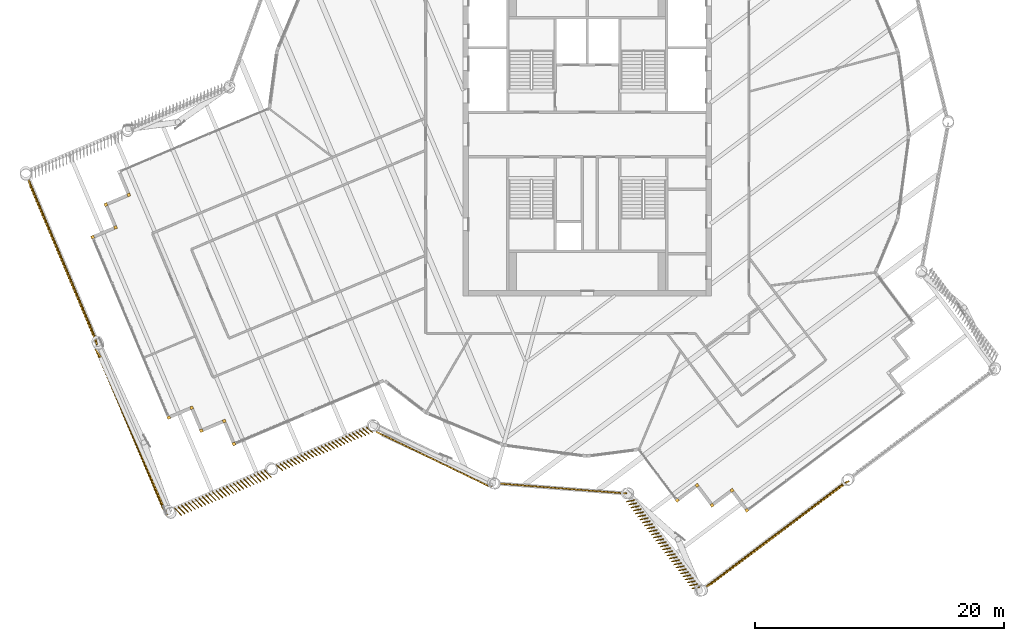
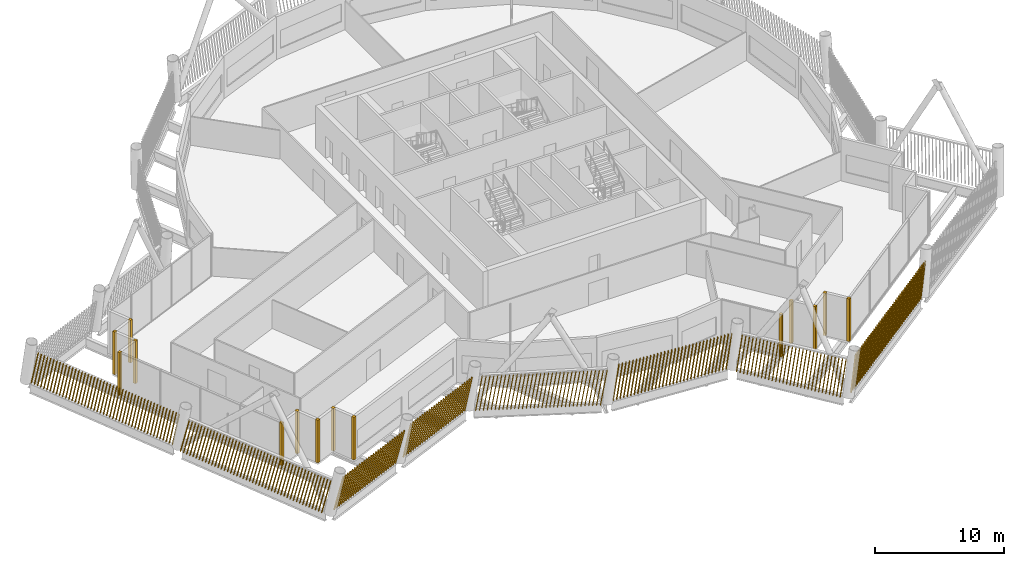
# One storey, part 31 of 35: 22 shading devices.
"""IFC4 building model written with IfcOpenShell, lengths in metres."""

from ifc_helpers import new_model, si_unit, direction, frame, frame_2d, origin, origin_2d, place, context, subcontext, project, spatial, rectangle, composite_profile, extrude, material, type_object, element, save


model = new_model("IFC4")

# Units and contexts
model_context = context("Model", 3, precision=1e-05, world=origin(), true_north=direction((0.0, 1.0)))
body_context = subcontext(model_context, "Body", "Model", "MODEL_VIEW")
ifc_project = project(units=[si_unit("LENGTHUNIT", "METRE"), si_unit("AREAUNIT", "SQUARE_METRE"), si_unit("VOLUMEUNIT", "CUBIC_METRE"), si_unit("PLANEANGLEUNIT", "RADIAN"), si_unit("MASSUNIT", "GRAM", prefix="KILO")], contexts=[model_context])

# Site, building, storey
site_placement = place(None, origin())
site = spatial("IfcSite", under=ifc_project, at=site_placement, CompositionType="ELEMENT")
building_placement = place(site_placement, origin())
building = spatial("IfcBuilding", under=site, at=building_placement, Name="Tarsis Ring Headquarters", CompositionType="ELEMENT")
storey_placement = place(building_placement, frame((0.0, 0.0, 377.60009765625)))
storey = spatial("IfcBuildingStorey", under=building, at=storey_placement, Name="L89", CompositionType="ELEMENT", Elevation=377.60009765625)

# Shading devices
ifc_material = material(Name="Terracotta baguette", Category="masonry")
shading_device_type_1 = type_object("IfcShadingDeviceType", Name="Terracotta baguette screen", PredefinedType="USERDEFINED", material=ifc_material)
shading_device_1_placement = place(storey_placement, frame((-7.07861328125, -28.08154296875, 0.0), z_axis=(0.0, 0.0, 1.0), x_axis=(0.997001873829, -0.077326670831, 0.0)))
element("IfcShadingDevice", 1, at=shading_device_1_placement, inside=storey, type_object=shading_device_type_1, Name="Baguette screen L89-00", ObjectType="Terracotta baguette screen", PredefinedType="USERDEFINED", context=body_context, shape_type="SweptSolid", body=[
    extrude(composite_profile([rectangle(XDim=0.06005859375, YDim=0.1201171875, at=frame_2d((0.030029296875, 0.0))), rectangle(XDim=0.06005859375, YDim=0.1201171875, at=frame_2d((0.33349609375, 0.0))), rectangle(XDim=0.06005859375, YDim=0.1201171875, at=frame_2d((0.636962890625, 0.0))), rectangle(XDim=0.06005859375, YDim=0.1201171875, at=frame_2d((0.9404296875, 0.0))), rectangle(XDim=0.06005859375, YDim=0.1201171875, at=frame_2d((1.243896484375, 0.0))), rectangle(XDim=0.06005859375, YDim=0.1201171875, at=frame_2d((1.54736328125, 0.0))), rectangle(XDim=0.06005859375, YDim=0.1201171875, at=frame_2d((1.85107421875, 0.0))), rectangle(XDim=0.06005859375, YDim=0.1201171875, at=frame_2d((2.154541015625, 0.0))), rectangle(XDim=0.06005859375, YDim=0.1201171875, at=frame_2d((2.4580078125, 0.0))), rectangle(XDim=0.06005859375, YDim=0.1201171875, at=frame_2d((2.761474609375, 0.0))), rectangle(XDim=0.06005859375, YDim=0.1201171875, at=frame_2d((3.06494140625, 0.0))), rectangle(XDim=0.06005859375, YDim=0.1201171875, at=frame_2d((3.368408203125, 0.0))), rectangle(XDim=0.06005859375, YDim=0.1201171875, at=frame_2d((3.671875, 0.0))), rectangle(XDim=0.06005859375, YDim=0.1201171875, at=frame_2d((3.975341796875, 0.0))), rectangle(XDim=0.06005859375, YDim=0.1201171875, at=frame_2d((4.27880859375, 0.0))), rectangle(XDim=0.06005859375, YDim=0.1201171875, at=frame_2d((4.582275390625, 0.0))), rectangle(XDim=0.06005859375, YDim=0.1201171875, at=frame_2d((4.8857421875, 0.0))), rectangle(XDim=0.06005859375, YDim=0.1201171875, at=frame_2d((5.189453125, 0.0))), rectangle(XDim=0.06005859375, YDim=0.1201171875, at=frame_2d((5.492919921875, 0.0))), rectangle(XDim=0.06005859375, YDim=0.1201171875, at=frame_2d((5.79638671875, 0.0))), rectangle(XDim=0.06005859375, YDim=0.1201171875, at=frame_2d((6.099853515625, 0.0))), rectangle(XDim=0.06005859375, YDim=0.1201171875, at=frame_2d((6.4033203125, 0.0))), rectangle(XDim=0.06005859375, YDim=0.1201171875, at=frame_2d((6.706787109375, 0.0))), rectangle(XDim=0.06005859375, YDim=0.1201171875, at=frame_2d((7.01025390625, 0.0))), rectangle(XDim=0.06005859375, YDim=0.1201171875, at=frame_2d((7.313720703125, 0.0))), rectangle(XDim=0.06005859375, YDim=0.1201171875, at=frame_2d((7.6171875, 0.0))), rectangle(XDim=0.06005859375, YDim=0.1201171875, at=frame_2d((7.920654296875, 0.0))), rectangle(XDim=0.06005859375, YDim=0.1201171875, at=frame_2d((8.224365234375, 0.0))), rectangle(XDim=0.06005859375, YDim=0.1201171875, at=frame_2d((8.52783203125, 0.0))), rectangle(XDim=0.06005859375, YDim=0.1201171875, at=frame_2d((8.831298828125, 0.0))), rectangle(XDim=0.06005859375, YDim=0.1201171875, at=frame_2d((9.134765625, 0.0))), rectangle(XDim=0.06005859375, YDim=0.1201171875, at=frame_2d((9.438232421875, 0.0))), rectangle(XDim=0.06005859375, YDim=0.1201171875, at=frame_2d((9.74169921875, 0.0)))]), origin(), (0.155998316457, 0.001415827673, 0.98775630633), 3.3212890625),
])
shading_device_2_placement = place(storey_placement, frame((3.16259765625, -29.5009765625, 0.0), z_axis=(0.0, 0.0, 1.0), x_axis=(0.600144192108, -0.799877991293, 0.0)))
element("IfcShadingDevice", 2, at=shading_device_2_placement, inside=storey, type_object=shading_device_type_1, Name="Baguette screen L89-01", ObjectType="Terracotta baguette screen", PredefinedType="USERDEFINED", context=body_context, shape_type="SweptSolid", body=[
    extrude(composite_profile([rectangle(XDim=0.06005859375, YDim=0.1201171875, at=frame_2d((0.030029296875, 0.0))), rectangle(XDim=0.06005859375, YDim=0.1201171875, at=frame_2d((0.33154296875, 0.0))), rectangle(XDim=0.06005859375, YDim=0.1201171875, at=frame_2d((0.633056640625, 0.0))), rectangle(XDim=0.06005859375, YDim=0.1201171875, at=frame_2d((0.9345703125, 0.0))), rectangle(XDim=0.06005859375, YDim=0.1201171875, at=frame_2d((1.236083984375, 0.0))), rectangle(XDim=0.06005859375, YDim=0.1201171875, at=frame_2d((1.53759765625, 0.0))), rectangle(XDim=0.06005859375, YDim=0.1201171875, at=frame_2d((1.839111328125, 0.0))), rectangle(XDim=0.06005859375, YDim=0.1201171875, at=frame_2d((2.140625, 0.0))), rectangle(XDim=0.06005859375, YDim=0.1201171875, at=frame_2d((2.442138671875, 0.0))), rectangle(XDim=0.06005859375, YDim=0.1201171875, at=frame_2d((2.74365234375, 0.0))), rectangle(XDim=0.06005859375, YDim=0.1201171875, at=frame_2d((3.045166015625, 0.0))), rectangle(XDim=0.06005859375, YDim=0.1201171875, at=frame_2d((3.3466796875, 0.0))), rectangle(XDim=0.06005859375, YDim=0.1201171875, at=frame_2d((3.648193359375, 0.0))), rectangle(XDim=0.06005859375, YDim=0.1201171875, at=frame_2d((3.94970703125, 0.0))), rectangle(XDim=0.06005859375, YDim=0.1201171875, at=frame_2d((4.251220703125, 0.0))), rectangle(XDim=0.06005859375, YDim=0.1201171875, at=frame_2d((4.552978515625, 0.0))), rectangle(XDim=0.06005859375, YDim=0.1201171875, at=frame_2d((4.8544921875, 0.0))), rectangle(XDim=0.06005859375, YDim=0.1201171875, at=frame_2d((5.156005859375, 0.0))), rectangle(XDim=0.06005859375, YDim=0.1201171875, at=frame_2d((5.45751953125, 0.0))), rectangle(XDim=0.06005859375, YDim=0.1201171875, at=frame_2d((5.759033203125, 0.0))), rectangle(XDim=0.06005859375, YDim=0.1201171875, at=frame_2d((6.060546875, 0.0))), rectangle(XDim=0.06005859375, YDim=0.1201171875, at=frame_2d((6.362060546875, 0.0))), rectangle(XDim=0.06005859375, YDim=0.1201171875, at=frame_2d((6.66357421875, 0.0))), rectangle(XDim=0.06005859375, YDim=0.1201171875, at=frame_2d((6.965087890625, 0.0))), rectangle(XDim=0.06005859375, YDim=0.1201171875, at=frame_2d((7.2666015625, 0.0))), rectangle(XDim=0.06005859375, YDim=0.1201171875, at=frame_2d((7.568115234375, 0.0))), rectangle(XDim=0.06005859375, YDim=0.1201171875, at=frame_2d((7.86962890625, 0.0))), rectangle(XDim=0.06005859375, YDim=0.1201171875, at=frame_2d((8.171142578125, 0.0))), rectangle(XDim=0.06005859375, YDim=0.1201171875, at=frame_2d((8.47265625, 0.0))), rectangle(XDim=0.06005859375, YDim=0.1201171875, at=frame_2d((8.774169921875, 0.0)))]), origin(), (0.081076607551, 0.163389771374, 0.983224474023), 3.33642578125),
])
shading_device_3_placement = place(storey_placement, frame((9.446533203125, -36.418212890625, 0.0), z_axis=(0.0, 0.0, 1.0), x_axis=(0.79989031208, 0.60013445616, 0.0)))
element("IfcShadingDevice", 3, at=shading_device_3_placement, inside=storey, type_object=shading_device_type_1, Name="Baguette screen L89-02", ObjectType="Terracotta baguette screen", PredefinedType="USERDEFINED", context=body_context, shape_type="SweptSolid", body=[
    extrude(composite_profile([rectangle(XDim=0.06005859375, YDim=0.1201171875, at=frame_2d((0.030029296875, 0.0))), rectangle(XDim=0.06005859375, YDim=0.1201171875, at=frame_2d((0.33544921875, 0.0))), rectangle(XDim=0.06005859375, YDim=0.1201171875, at=frame_2d((0.640625, 0.0))), rectangle(XDim=0.06005859375, YDim=0.1201171875, at=frame_2d((0.946044921875, 0.0))), rectangle(XDim=0.06005859375, YDim=0.1201171875, at=frame_2d((1.25146484375, 0.0))), rectangle(XDim=0.06005859375, YDim=0.1201171875, at=frame_2d((1.556640625, 0.0))), rectangle(XDim=0.06005859375, YDim=0.1201171875, at=frame_2d((1.862060546875, 0.0))), rectangle(XDim=0.06005859375, YDim=0.1201171875, at=frame_2d((2.16748046875, 0.0))), rectangle(XDim=0.06005859375, YDim=0.1201171875, at=frame_2d((2.47265625, 0.0))), rectangle(XDim=0.06005859375, YDim=0.1201171875, at=frame_2d((2.778076171875, 0.0))), rectangle(XDim=0.06005859375, YDim=0.1201171875, at=frame_2d((3.08349609375, 0.0))), rectangle(XDim=0.06005859375, YDim=0.1201171875, at=frame_2d((3.388671875, 0.0))), rectangle(XDim=0.06005859375, YDim=0.1201171875, at=frame_2d((3.694091796875, 0.0))), rectangle(XDim=0.06005859375, YDim=0.1201171875, at=frame_2d((3.99951171875, 0.0))), rectangle(XDim=0.06005859375, YDim=0.1201171875, at=frame_2d((4.3046875, 0.0))), rectangle(XDim=0.06005859375, YDim=0.1201171875, at=frame_2d((4.610107421875, 0.0))), rectangle(XDim=0.06005859375, YDim=0.1201171875, at=frame_2d((4.91552734375, 0.0))), rectangle(XDim=0.06005859375, YDim=0.1201171875, at=frame_2d((5.220703125, 0.0))), rectangle(XDim=0.06005859375, YDim=0.1201171875, at=frame_2d((5.526123046875, 0.0))), rectangle(XDim=0.06005859375, YDim=0.1201171875, at=frame_2d((5.83154296875, 0.0))), rectangle(XDim=0.06005859375, YDim=0.1201171875, at=frame_2d((6.13671875, 0.0))), rectangle(XDim=0.06005859375, YDim=0.1201171875, at=frame_2d((6.442138671875, 0.0))), rectangle(XDim=0.06005859375, YDim=0.1201171875, at=frame_2d((6.74755859375, 0.0))), rectangle(XDim=0.06005859375, YDim=0.1201171875, at=frame_2d((7.052734375, 0.0))), rectangle(XDim=0.06005859375, YDim=0.1201171875, at=frame_2d((7.358154296875, 0.0))), rectangle(XDim=0.06005859375, YDim=0.1201171875, at=frame_2d((7.66357421875, 0.0))), rectangle(XDim=0.06005859375, YDim=0.1201171875, at=frame_2d((7.96875, 0.0))), rectangle(XDim=0.06005859375, YDim=0.1201171875, at=frame_2d((8.274169921875, 0.0))), rectangle(XDim=0.06005859375, YDim=0.1201171875, at=frame_2d((8.57958984375, 0.0))), rectangle(XDim=0.06005859375, YDim=0.1201171875, at=frame_2d((8.884765625, 0.0))), rectangle(XDim=0.06005859375, YDim=0.1201171875, at=frame_2d((9.190185546875, 0.0))), rectangle(XDim=0.06005859375, YDim=0.1201171875, at=frame_2d((9.49560546875, 0.0))), rectangle(XDim=0.06005859375, YDim=0.1201171875, at=frame_2d((9.80078125, 0.0))), rectangle(XDim=0.06005859375, YDim=0.1201171875, at=frame_2d((10.106201171875, 0.0))), rectangle(XDim=0.06005859375, YDim=0.1201171875, at=frame_2d((10.41162109375, 0.0))), rectangle(XDim=0.06005859375, YDim=0.1201171875, at=frame_2d((10.716796875, 0.0))), rectangle(XDim=0.06005859375, YDim=0.1201171875, at=frame_2d((11.022216796875, 0.0))), rectangle(XDim=0.06005859375, YDim=0.1201171875, at=frame_2d((11.32763671875, 0.0))), rectangle(XDim=0.06005859375, YDim=0.1201171875, at=frame_2d((11.6328125, 0.0))), rectangle(XDim=0.06005859375, YDim=0.1201171875, at=frame_2d((11.938232421875, 0.0))), rectangle(XDim=0.06005859375, YDim=0.1201171875, at=frame_2d((12.24365234375, 0.0))), rectangle(XDim=0.06005859375, YDim=0.1201171875, at=frame_2d((12.548828125, 0.0))), rectangle(XDim=0.06005859375, YDim=0.1201171875, at=frame_2d((12.854248046875, 0.0))), rectangle(XDim=0.06005859375, YDim=0.1201171875, at=frame_2d((13.15966796875, 0.0))), rectangle(XDim=0.06005859375, YDim=0.1201171875, at=frame_2d((13.46484375, 0.0))), rectangle(XDim=0.06005859375, YDim=0.1201171875, at=frame_2d((13.770263671875, 0.0)))]), origin(), (0.189279173776, -0.038456338088, 0.981169967149), 3.343505859375),
])
shading_device_4_placement = place(storey_placement, frame((-44.992431640625, -3.4658203125, 0.0), z_axis=(0.0, 0.0, 1.0), x_axis=(0.388801415303, -0.921326846528, 0.0)))
element("IfcShadingDevice", 4, at=shading_device_4_placement, inside=storey, type_object=shading_device_type_1, Name="Baguette screen L89-15", ObjectType="Terracotta baguette screen", PredefinedType="USERDEFINED", context=body_context, shape_type="SweptSolid", body=[
    extrude(composite_profile([rectangle(XDim=0.06005859375, YDim=0.1201171875, at=frame_2d((0.030029296875, 0.0))), rectangle(XDim=0.06005859375, YDim=0.1201171875, at=frame_2d((0.33544921875, 0.0))), rectangle(XDim=0.06005859375, YDim=0.1201171875, at=frame_2d((0.640625, 0.0))), rectangle(XDim=0.06005859375, YDim=0.1201171875, at=frame_2d((0.946044921875, 0.0))), rectangle(XDim=0.06005859375, YDim=0.1201171875, at=frame_2d((1.25146484375, 0.0))), rectangle(XDim=0.06005859375, YDim=0.1201171875, at=frame_2d((1.556640625, 0.0))), rectangle(XDim=0.06005859375, YDim=0.1201171875, at=frame_2d((1.862060546875, 0.0))), rectangle(XDim=0.06005859375, YDim=0.1201171875, at=frame_2d((2.16748046875, 0.0))), rectangle(XDim=0.06005859375, YDim=0.1201171875, at=frame_2d((2.47265625, 0.0))), rectangle(XDim=0.06005859375, YDim=0.1201171875, at=frame_2d((2.778076171875, 0.0))), rectangle(XDim=0.06005859375, YDim=0.1201171875, at=frame_2d((3.08349609375, 0.0))), rectangle(XDim=0.06005859375, YDim=0.1201171875, at=frame_2d((3.388671875, 0.0))), rectangle(XDim=0.06005859375, YDim=0.1201171875, at=frame_2d((3.694091796875, 0.0))), rectangle(XDim=0.06005859375, YDim=0.1201171875, at=frame_2d((3.99951171875, 0.0))), rectangle(XDim=0.06005859375, YDim=0.1201171875, at=frame_2d((4.3046875, 0.0))), rectangle(XDim=0.06005859375, YDim=0.1201171875, at=frame_2d((4.610107421875, 0.0))), rectangle(XDim=0.06005859375, YDim=0.1201171875, at=frame_2d((4.91552734375, 0.0))), rectangle(XDim=0.06005859375, YDim=0.1201171875, at=frame_2d((5.220703125, 0.0))), rectangle(XDim=0.06005859375, YDim=0.1201171875, at=frame_2d((5.526123046875, 0.0))), rectangle(XDim=0.06005859375, YDim=0.1201171875, at=frame_2d((5.83154296875, 0.0))), rectangle(XDim=0.06005859375, YDim=0.1201171875, at=frame_2d((6.13671875, 0.0))), rectangle(XDim=0.06005859375, YDim=0.1201171875, at=frame_2d((6.442138671875, 0.0))), rectangle(XDim=0.06005859375, YDim=0.1201171875, at=frame_2d((6.74755859375, 0.0))), rectangle(XDim=0.06005859375, YDim=0.1201171875, at=frame_2d((7.052734375, 0.0))), rectangle(XDim=0.06005859375, YDim=0.1201171875, at=frame_2d((7.358154296875, 0.0))), rectangle(XDim=0.06005859375, YDim=0.1201171875, at=frame_2d((7.66357421875, 0.0))), rectangle(XDim=0.06005859375, YDim=0.1201171875, at=frame_2d((7.96875, 0.0))), rectangle(XDim=0.06005859375, YDim=0.1201171875, at=frame_2d((8.274169921875, 0.0))), rectangle(XDim=0.06005859375, YDim=0.1201171875, at=frame_2d((8.57958984375, 0.0))), rectangle(XDim=0.06005859375, YDim=0.1201171875, at=frame_2d((8.884765625, 0.0))), rectangle(XDim=0.06005859375, YDim=0.1201171875, at=frame_2d((9.190185546875, 0.0))), rectangle(XDim=0.06005859375, YDim=0.1201171875, at=frame_2d((9.49560546875, 0.0))), rectangle(XDim=0.06005859375, YDim=0.1201171875, at=frame_2d((9.80078125, 0.0))), rectangle(XDim=0.06005859375, YDim=0.1201171875, at=frame_2d((10.106201171875, 0.0))), rectangle(XDim=0.06005859375, YDim=0.1201171875, at=frame_2d((10.41162109375, 0.0))), rectangle(XDim=0.06005859375, YDim=0.1201171875, at=frame_2d((10.716796875, 0.0))), rectangle(XDim=0.06005859375, YDim=0.1201171875, at=frame_2d((11.022216796875, 0.0))), rectangle(XDim=0.06005859375, YDim=0.1201171875, at=frame_2d((11.32763671875, 0.0))), rectangle(XDim=0.06005859375, YDim=0.1201171875, at=frame_2d((11.6328125, 0.0))), rectangle(XDim=0.06005859375, YDim=0.1201171875, at=frame_2d((11.938232421875, 0.0))), rectangle(XDim=0.06005859375, YDim=0.1201171875, at=frame_2d((12.24365234375, 0.0))), rectangle(XDim=0.06005859375, YDim=0.1201171875, at=frame_2d((12.548828125, 0.0))), rectangle(XDim=0.06005859375, YDim=0.1201171875, at=frame_2d((12.854248046875, 0.0))), rectangle(XDim=0.06005859375, YDim=0.1201171875, at=frame_2d((13.15966796875, 0.0))), rectangle(XDim=0.06005859375, YDim=0.1201171875, at=frame_2d((13.46484375, 0.0))), rectangle(XDim=0.06005859375, YDim=0.1201171875, at=frame_2d((13.770263671875, 0.0)))]), origin(), (0.230610285584, -0.037718902958, 0.972314856691), 3.3740234375),
])
shading_device_5_placement = place(storey_placement, frame((-39.583740234375, -17.247314453125, 0.0), z_axis=(0.0, 0.0, 1.0), x_axis=(0.388808293822, -0.921325454674, 0.0)))
element("IfcShadingDevice", 5, at=shading_device_5_placement, inside=storey, type_object=shading_device_type_1, Name="Baguette screen L89-16", ObjectType="Terracotta baguette screen", PredefinedType="USERDEFINED", context=body_context, shape_type="SweptSolid", body=[
    extrude(composite_profile([rectangle(XDim=0.06005859375, YDim=0.1201171875, at=frame_2d((0.030029296875, 0.0))), rectangle(XDim=0.06005859375, YDim=0.1201171875, at=frame_2d((0.33544921875, 0.0))), rectangle(XDim=0.06005859375, YDim=0.1201171875, at=frame_2d((0.640625, 0.0))), rectangle(XDim=0.06005859375, YDim=0.1201171875, at=frame_2d((0.946044921875, 0.0))), rectangle(XDim=0.06005859375, YDim=0.1201171875, at=frame_2d((1.25146484375, 0.0))), rectangle(XDim=0.06005859375, YDim=0.1201171875, at=frame_2d((1.556640625, 0.0))), rectangle(XDim=0.06005859375, YDim=0.1201171875, at=frame_2d((1.862060546875, 0.0))), rectangle(XDim=0.06005859375, YDim=0.1201171875, at=frame_2d((2.16748046875, 0.0))), rectangle(XDim=0.06005859375, YDim=0.1201171875, at=frame_2d((2.47265625, 0.0))), rectangle(XDim=0.06005859375, YDim=0.1201171875, at=frame_2d((2.778076171875, 0.0))), rectangle(XDim=0.06005859375, YDim=0.1201171875, at=frame_2d((3.08349609375, 0.0))), rectangle(XDim=0.06005859375, YDim=0.1201171875, at=frame_2d((3.388671875, 0.0))), rectangle(XDim=0.06005859375, YDim=0.1201171875, at=frame_2d((3.694091796875, 0.0))), rectangle(XDim=0.06005859375, YDim=0.1201171875, at=frame_2d((3.99951171875, 0.0))), rectangle(XDim=0.06005859375, YDim=0.1201171875, at=frame_2d((4.3046875, 0.0))), rectangle(XDim=0.06005859375, YDim=0.1201171875, at=frame_2d((4.610107421875, 0.0))), rectangle(XDim=0.06005859375, YDim=0.1201171875, at=frame_2d((4.91552734375, 0.0))), rectangle(XDim=0.06005859375, YDim=0.1201171875, at=frame_2d((5.220703125, 0.0))), rectangle(XDim=0.06005859375, YDim=0.1201171875, at=frame_2d((5.526123046875, 0.0))), rectangle(XDim=0.06005859375, YDim=0.1201171875, at=frame_2d((5.83154296875, 0.0))), rectangle(XDim=0.06005859375, YDim=0.1201171875, at=frame_2d((6.13671875, 0.0))), rectangle(XDim=0.06005859375, YDim=0.1201171875, at=frame_2d((6.442138671875, 0.0))), rectangle(XDim=0.06005859375, YDim=0.1201171875, at=frame_2d((6.74755859375, 0.0))), rectangle(XDim=0.06005859375, YDim=0.1201171875, at=frame_2d((7.052734375, 0.0))), rectangle(XDim=0.06005859375, YDim=0.1201171875, at=frame_2d((7.358154296875, 0.0))), rectangle(XDim=0.06005859375, YDim=0.1201171875, at=frame_2d((7.66357421875, 0.0))), rectangle(XDim=0.06005859375, YDim=0.1201171875, at=frame_2d((7.96875, 0.0))), rectangle(XDim=0.06005859375, YDim=0.1201171875, at=frame_2d((8.274169921875, 0.0))), rectangle(XDim=0.06005859375, YDim=0.1201171875, at=frame_2d((8.57958984375, 0.0))), rectangle(XDim=0.06005859375, YDim=0.1201171875, at=frame_2d((8.884765625, 0.0))), rectangle(XDim=0.06005859375, YDim=0.1201171875, at=frame_2d((9.190185546875, 0.0))), rectangle(XDim=0.06005859375, YDim=0.1201171875, at=frame_2d((9.49560546875, 0.0))), rectangle(XDim=0.06005859375, YDim=0.1201171875, at=frame_2d((9.80078125, 0.0))), rectangle(XDim=0.06005859375, YDim=0.1201171875, at=frame_2d((10.106201171875, 0.0))), rectangle(XDim=0.06005859375, YDim=0.1201171875, at=frame_2d((10.41162109375, 0.0))), rectangle(XDim=0.06005859375, YDim=0.1201171875, at=frame_2d((10.716796875, 0.0))), rectangle(XDim=0.06005859375, YDim=0.1201171875, at=frame_2d((11.022216796875, 0.0))), rectangle(XDim=0.06005859375, YDim=0.1201171875, at=frame_2d((11.32763671875, 0.0))), rectangle(XDim=0.06005859375, YDim=0.1201171875, at=frame_2d((11.6328125, 0.0))), rectangle(XDim=0.06005859375, YDim=0.1201171875, at=frame_2d((11.938232421875, 0.0))), rectangle(XDim=0.06005859375, YDim=0.1201171875, at=frame_2d((12.24365234375, 0.0))), rectangle(XDim=0.06005859375, YDim=0.1201171875, at=frame_2d((12.548828125, 0.0))), rectangle(XDim=0.06005859375, YDim=0.1201171875, at=frame_2d((12.854248046875, 0.0))), rectangle(XDim=0.06005859375, YDim=0.1201171875, at=frame_2d((13.15966796875, 0.0))), rectangle(XDim=0.06005859375, YDim=0.1201171875, at=frame_2d((13.46484375, 0.0))), rectangle(XDim=0.06005859375, YDim=0.1201171875, at=frame_2d((13.770263671875, 0.0)))]), origin(), (0.231797182674, 0.041896938593, 0.971861467824), 3.37548828125),
])
shading_device_6_placement = place(storey_placement, frame((-33.217529296875, -30.081787109375, 0.0), z_axis=(0.0, 0.0, 1.0), x_axis=(0.921339636049, 0.388791052615, 0.0)))
element("IfcShadingDevice", 6, at=shading_device_6_placement, inside=storey, type_object=shading_device_type_1, Name="Baguette screen L89-17", ObjectType="Terracotta baguette screen", PredefinedType="USERDEFINED", context=body_context, shape_type="SweptSolid", body=[
    extrude(composite_profile([rectangle(XDim=0.06005859375, YDim=0.1201171875, at=frame_2d((0.030029296875, 0.0))), rectangle(XDim=0.06005859375, YDim=0.1201171875, at=frame_2d((0.33154296875, 0.0))), rectangle(XDim=0.06005859375, YDim=0.1201171875, at=frame_2d((0.63330078125, 0.0))), rectangle(XDim=0.06005859375, YDim=0.1201171875, at=frame_2d((0.934814453125, 0.0))), rectangle(XDim=0.06005859375, YDim=0.1201171875, at=frame_2d((1.236572265625, 0.0))), rectangle(XDim=0.06005859375, YDim=0.1201171875, at=frame_2d((1.5380859375, 0.0))), rectangle(XDim=0.06005859375, YDim=0.1201171875, at=frame_2d((1.83984375, 0.0))), rectangle(XDim=0.06005859375, YDim=0.1201171875, at=frame_2d((2.141357421875, 0.0))), rectangle(XDim=0.06005859375, YDim=0.1201171875, at=frame_2d((2.443115234375, 0.0))), rectangle(XDim=0.06005859375, YDim=0.1201171875, at=frame_2d((2.74462890625, 0.0))), rectangle(XDim=0.06005859375, YDim=0.1201171875, at=frame_2d((3.04638671875, 0.0))), rectangle(XDim=0.06005859375, YDim=0.1201171875, at=frame_2d((3.347900390625, 0.0))), rectangle(XDim=0.06005859375, YDim=0.1201171875, at=frame_2d((3.649658203125, 0.0))), rectangle(XDim=0.06005859375, YDim=0.1201171875, at=frame_2d((3.951171875, 0.0))), rectangle(XDim=0.06005859375, YDim=0.1201171875, at=frame_2d((4.252685546875, 0.0))), rectangle(XDim=0.06005859375, YDim=0.1201171875, at=frame_2d((4.554443359375, 0.0))), rectangle(XDim=0.06005859375, YDim=0.1201171875, at=frame_2d((4.85595703125, 0.0))), rectangle(XDim=0.06005859375, YDim=0.1201171875, at=frame_2d((5.15771484375, 0.0))), rectangle(XDim=0.06005859375, YDim=0.1201171875, at=frame_2d((5.459228515625, 0.0))), rectangle(XDim=0.06005859375, YDim=0.1201171875, at=frame_2d((5.760986328125, 0.0))), rectangle(XDim=0.06005859375, YDim=0.1201171875, at=frame_2d((6.0625, 0.0))), rectangle(XDim=0.06005859375, YDim=0.1201171875, at=frame_2d((6.3642578125, 0.0))), rectangle(XDim=0.06005859375, YDim=0.1201171875, at=frame_2d((6.665771484375, 0.0))), rectangle(XDim=0.06005859375, YDim=0.1201171875, at=frame_2d((6.967529296875, 0.0))), rectangle(XDim=0.06005859375, YDim=0.1201171875, at=frame_2d((7.26904296875, 0.0))), rectangle(XDim=0.06005859375, YDim=0.1201171875, at=frame_2d((7.57080078125, 0.0))), rectangle(XDim=0.06005859375, YDim=0.1201171875, at=frame_2d((7.872314453125, 0.0)))]), origin(), (0.081728680809, -0.206169090252, 0.975097292047), 3.3642578125),
])
shading_device_7_placement = place(storey_placement, frame((-25.015869140625, -26.62060546875, 0.0), z_axis=(0.0, 0.0, 1.0), x_axis=(0.921339636049, 0.388791052615, 0.0)))
element("IfcShadingDevice", 7, at=shading_device_7_placement, inside=storey, type_object=shading_device_type_1, Name="Baguette screen L89-18", ObjectType="Terracotta baguette screen", PredefinedType="USERDEFINED", context=body_context, shape_type="SweptSolid", body=[
    extrude(composite_profile([rectangle(XDim=0.06005859375, YDim=0.1201171875, at=frame_2d((0.030029296875, 0.0))), rectangle(XDim=0.06005859375, YDim=0.1201171875, at=frame_2d((0.33154296875, 0.0))), rectangle(XDim=0.06005859375, YDim=0.1201171875, at=frame_2d((0.63330078125, 0.0))), rectangle(XDim=0.06005859375, YDim=0.1201171875, at=frame_2d((0.934814453125, 0.0))), rectangle(XDim=0.06005859375, YDim=0.1201171875, at=frame_2d((1.236572265625, 0.0))), rectangle(XDim=0.06005859375, YDim=0.1201171875, at=frame_2d((1.5380859375, 0.0))), rectangle(XDim=0.06005859375, YDim=0.1201171875, at=frame_2d((1.83984375, 0.0))), rectangle(XDim=0.06005859375, YDim=0.1201171875, at=frame_2d((2.141357421875, 0.0))), rectangle(XDim=0.06005859375, YDim=0.1201171875, at=frame_2d((2.443115234375, 0.0))), rectangle(XDim=0.06005859375, YDim=0.1201171875, at=frame_2d((2.74462890625, 0.0))), rectangle(XDim=0.06005859375, YDim=0.1201171875, at=frame_2d((3.04638671875, 0.0))), rectangle(XDim=0.06005859375, YDim=0.1201171875, at=frame_2d((3.347900390625, 0.0))), rectangle(XDim=0.06005859375, YDim=0.1201171875, at=frame_2d((3.649658203125, 0.0))), rectangle(XDim=0.06005859375, YDim=0.1201171875, at=frame_2d((3.951171875, 0.0))), rectangle(XDim=0.06005859375, YDim=0.1201171875, at=frame_2d((4.252685546875, 0.0))), rectangle(XDim=0.06005859375, YDim=0.1201171875, at=frame_2d((4.554443359375, 0.0))), rectangle(XDim=0.06005859375, YDim=0.1201171875, at=frame_2d((4.85595703125, 0.0))), rectangle(XDim=0.06005859375, YDim=0.1201171875, at=frame_2d((5.15771484375, 0.0))), rectangle(XDim=0.06005859375, YDim=0.1201171875, at=frame_2d((5.459228515625, 0.0))), rectangle(XDim=0.06005859375, YDim=0.1201171875, at=frame_2d((5.760986328125, 0.0))), rectangle(XDim=0.06005859375, YDim=0.1201171875, at=frame_2d((6.0625, 0.0))), rectangle(XDim=0.06005859375, YDim=0.1201171875, at=frame_2d((6.3642578125, 0.0))), rectangle(XDim=0.06005859375, YDim=0.1201171875, at=frame_2d((6.665771484375, 0.0))), rectangle(XDim=0.06005859375, YDim=0.1201171875, at=frame_2d((6.967529296875, 0.0))), rectangle(XDim=0.06005859375, YDim=0.1201171875, at=frame_2d((7.26904296875, 0.0))), rectangle(XDim=0.06005859375, YDim=0.1201171875, at=frame_2d((7.57080078125, 0.0))), rectangle(XDim=0.06005859375, YDim=0.1201171875, at=frame_2d((7.872314453125, 0.0)))]), origin(), (0.082015556828, -0.15954895805, 0.983777199585), 3.334716796875),
])
shading_device_8_placement = place(storey_placement, frame((-16.98779296875, -23.9091796875, 0.0), z_axis=(0.0, 0.0, 1.0), x_axis=(0.900287320425, -0.435302935665, 0.0)))
element("IfcShadingDevice", 8, at=shading_device_8_placement, inside=storey, type_object=shading_device_type_1, Name="Baguette screen L89-19", ObjectType="Terracotta baguette screen", PredefinedType="USERDEFINED", context=body_context, shape_type="SweptSolid", body=[
    extrude(composite_profile([rectangle(XDim=0.06005859375, YDim=0.1201171875, at=frame_2d((0.030029296875, 0.0))), rectangle(XDim=0.06005859375, YDim=0.1201171875, at=frame_2d((0.33349609375, 0.0))), rectangle(XDim=0.06005859375, YDim=0.1201171875, at=frame_2d((0.636962890625, 0.0))), rectangle(XDim=0.06005859375, YDim=0.1201171875, at=frame_2d((0.9404296875, 0.0))), rectangle(XDim=0.06005859375, YDim=0.1201171875, at=frame_2d((1.243896484375, 0.0))), rectangle(XDim=0.06005859375, YDim=0.1201171875, at=frame_2d((1.54736328125, 0.0))), rectangle(XDim=0.06005859375, YDim=0.1201171875, at=frame_2d((1.85107421875, 0.0))), rectangle(XDim=0.06005859375, YDim=0.1201171875, at=frame_2d((2.154541015625, 0.0))), rectangle(XDim=0.06005859375, YDim=0.1201171875, at=frame_2d((2.4580078125, 0.0))), rectangle(XDim=0.06005859375, YDim=0.1201171875, at=frame_2d((2.761474609375, 0.0))), rectangle(XDim=0.06005859375, YDim=0.1201171875, at=frame_2d((3.06494140625, 0.0))), rectangle(XDim=0.06005859375, YDim=0.1201171875, at=frame_2d((3.368408203125, 0.0))), rectangle(XDim=0.06005859375, YDim=0.1201171875, at=frame_2d((3.671875, 0.0))), rectangle(XDim=0.06005859375, YDim=0.1201171875, at=frame_2d((3.975341796875, 0.0))), rectangle(XDim=0.06005859375, YDim=0.1201171875, at=frame_2d((4.27880859375, 0.0))), rectangle(XDim=0.06005859375, YDim=0.1201171875, at=frame_2d((4.582275390625, 0.0))), rectangle(XDim=0.06005859375, YDim=0.1201171875, at=frame_2d((4.8857421875, 0.0))), rectangle(XDim=0.06005859375, YDim=0.1201171875, at=frame_2d((5.189453125, 0.0))), rectangle(XDim=0.06005859375, YDim=0.1201171875, at=frame_2d((5.492919921875, 0.0))), rectangle(XDim=0.06005859375, YDim=0.1201171875, at=frame_2d((5.79638671875, 0.0))), rectangle(XDim=0.06005859375, YDim=0.1201171875, at=frame_2d((6.099853515625, 0.0))), rectangle(XDim=0.06005859375, YDim=0.1201171875, at=frame_2d((6.4033203125, 0.0))), rectangle(XDim=0.06005859375, YDim=0.1201171875, at=frame_2d((6.706787109375, 0.0))), rectangle(XDim=0.06005859375, YDim=0.1201171875, at=frame_2d((7.01025390625, 0.0))), rectangle(XDim=0.06005859375, YDim=0.1201171875, at=frame_2d((7.313720703125, 0.0))), rectangle(XDim=0.06005859375, YDim=0.1201171875, at=frame_2d((7.6171875, 0.0))), rectangle(XDim=0.06005859375, YDim=0.1201171875, at=frame_2d((7.920654296875, 0.0))), rectangle(XDim=0.06005859375, YDim=0.1201171875, at=frame_2d((8.224365234375, 0.0))), rectangle(XDim=0.06005859375, YDim=0.1201171875, at=frame_2d((8.52783203125, 0.0))), rectangle(XDim=0.06005859375, YDim=0.1201171875, at=frame_2d((8.831298828125, 0.0))), rectangle(XDim=0.06005859375, YDim=0.1201171875, at=frame_2d((9.134765625, 0.0))), rectangle(XDim=0.06005859375, YDim=0.1201171875, at=frame_2d((9.438232421875, 0.0))), rectangle(XDim=0.06005859375, YDim=0.1201171875, at=frame_2d((9.74169921875, 0.0)))]), origin(), (0.157998281165, 0.001432803003, 0.987438347556), 3.322265625),
])
shading_device_type_2 = type_object("IfcShadingDeviceType", Name="Terracotta corner baguette 250x250", PredefinedType="USERDEFINED", material=ifc_material)
for number, where, z_axis, x_axis, name in (
    (9, (-28.435302734375, -24.888916015625, 0.0), (0.0, 0.0, 1.0), (0.388802114792, -0.921321287898, 0.0), "Corner baguette L89-01"),
    (10, (7.230224609375, -29.423828125, 0.0), (0.0, 0.0, 1.0), (0.600141088029, -0.799894164536, 0.0), "Corner baguette L89-07"),
    (11, (8.830078125, -28.223388671875, 0.0), (0.0, 0.0, 1.0), (0.799894143588, 0.60014111595, 0.0), "Corner baguette L89-08"),
    (12, (10.0302734375, -29.8232421875, 0.0), (0.0, 0.0, 1.0), (0.600141185754, -0.799894091215, 0.0), "Corner baguette L89-09"),
    (13, (11.630126953125, -28.623046875, 0.0), (0.0, 0.0, 1.0), (0.799893902675, 0.600141437048, 0.0), "Corner baguette L89-10"),
    (14, (12.830322265625, -30.22265625, 0.0), (0.0, 0.0, 1.0), (0.60014111595, -0.799894143588, 0.0), "Corner baguette L89-11"),
    (15, (-36.891845703125, -4.850341796875, 0.0), (0.0, 0.0, 1.0), (0.388802372073, -0.921321179324, 0.0), "Corner baguette L89-33"),
    (16, (-38.734375, -5.6279296875, 0.0), (0.0, 0.0, 1.0), (-0.921321104679, -0.388802548954, 0.0), "Corner baguette L89-34"),
    (17, (-37.956787109375, -7.470458984375, 0.0), (0.0, 0.0, 1.0), (0.388802548954, -0.921321104679, 0.0), "Corner baguette L89-35"),
    (18, (-39.799560546875, -8.248046875, 0.0), (0.0, 0.0, 1.0), (-0.921321362542, -0.388801937911, 0.0), "Corner baguette L89-36"),
    (19, (-33.67578125, -22.7587890625, 0.0), (0.0, 0.0, 1.0), (0.388802372073, -0.921321179324, 0.0), "Corner baguette L89-37"),
    (20, (-31.833251953125, -21.981201171875, 0.0), (0.0, 0.0, 1.0), (0.921321104679, 0.388802548954, 0.0), "Corner baguette L89-38"),
    (21, (-31.0556640625, -23.823974609375, 0.0), (0.0, 0.0, 1.0), (0.388802372073, -0.921321179324, 0.0), "Corner baguette L89-39"),
    (22, (-29.212890625, -23.04638671875, 0.0), (0.0, 0.0, 1.0), (0.921321362542, 0.388801937911, 0.0), "Corner baguette L89-40"),
):
    element("IfcShadingDevice", number, at=place(storey_placement, frame(where, z_axis=z_axis, x_axis=x_axis)), inside=storey, type_object=shading_device_type_2, Name=name, ObjectType="Terracotta corner baguette", PredefinedType="USERDEFINED", context=body_context, shape_type="SweptSolid", body=[
        extrude(rectangle(XDim=0.25, YDim=0.25, at=origin_2d()), origin(), (0.0, 0.0, 1.0), 4.0400390625),
    ])

save(model, "model.ifc")
